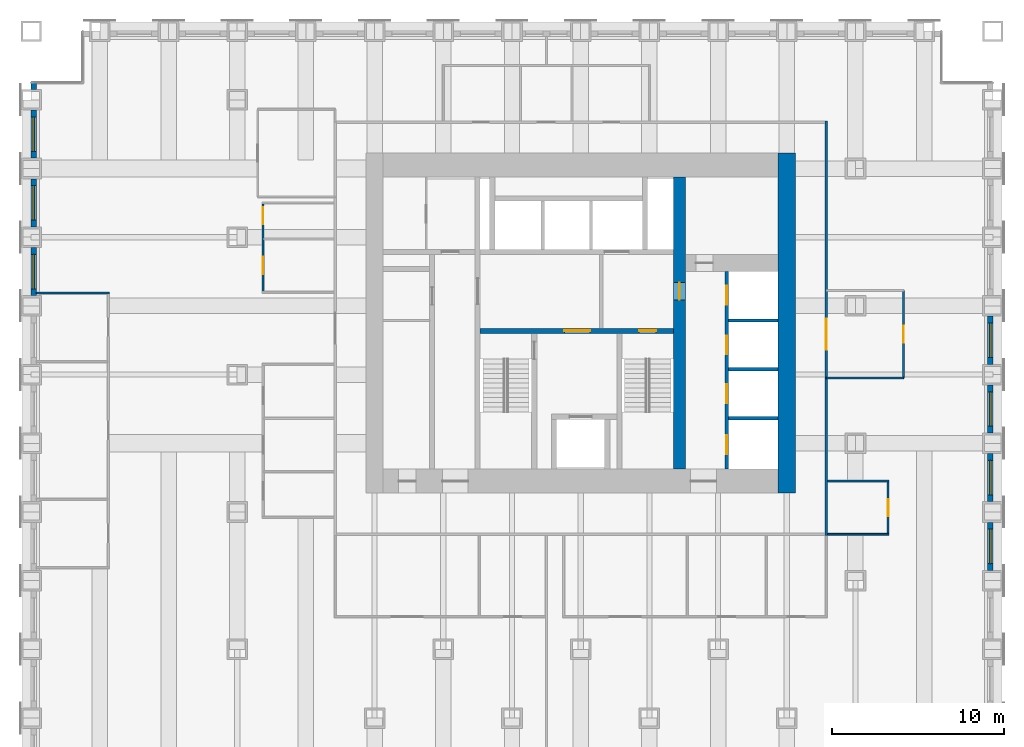
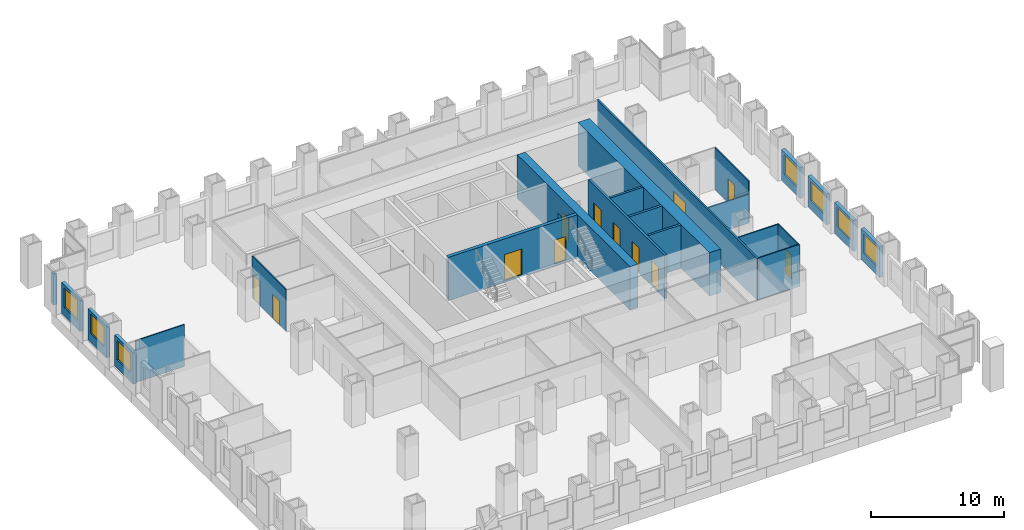
# One storey, part 11 of 15: 23 walls, 12 doors, 7 windows, 19 openings.
"""IFC4 building model written with IfcOpenShell, lengths in metres."""

from ifc_helpers import new_model, si_unit, direction, frame, frame_2d, origin, place, context, subcontext, project, spatial, rectangle, extrude, material, layer, layer_set, type_object, element, fill, save


model = new_model("IFC4")

# Units and contexts
model_context = context("Model", 3, precision=1e-05, world=origin(), true_north=direction((0.0, 1.0)))
body_context = subcontext(model_context, "Body", "Model", "MODEL_VIEW")
ifc_project = project(units=[si_unit("LENGTHUNIT", "METRE"), si_unit("AREAUNIT", "SQUARE_METRE"), si_unit("VOLUMEUNIT", "CUBIC_METRE"), si_unit("PLANEANGLEUNIT", "RADIAN"), si_unit("MASSUNIT", "GRAM", prefix="KILO")], contexts=[model_context])

# Site, building, storey
site_placement = place(None, origin())
site = spatial("IfcSite", under=ifc_project, at=site_placement, CompositionType="ELEMENT")
building_placement = place(site_placement, origin())
building = spatial("IfcBuilding", under=site, at=building_placement, Name="Rimbunsela Tower", CompositionType="ELEMENT")
storey_placement = place(building_placement, frame((0.0, 0.0, 39.0)))
storey = spatial("IfcBuildingStorey", under=building, at=storey_placement, Name="L09", CompositionType="ELEMENT", Elevation=39.0)

# Wall, openings, doors
ifc_material_1 = material(Name="Concrete fc' 80 MPa", Category="concrete")
ifc_layer_1 = layer(ifc_material_1, 0.300048828125)
ifc_layer_set_1 = layer_set([ifc_layer_1], Name="Core internal wall 300")
wall_type_1 = type_object("IfcWallType", Name="Core internal wall 300", PredefinedType="SHEAR", material=ifc_layer_set_1)
wall_1_placement = place(storey_placement, frame((24.14990234375, 26.550048828125, -0.14990234375), z_axis=(0.0, 0.0, 1.0), x_axis=(1.0, 0.0, 0.0)))
wall_1 = element("IfcWall", 1, at=wall_1_placement, inside=storey, type_object=wall_type_1, Name="Core wall lobby south", PredefinedType="SHEAR", context=body_context, shape_type="SweptSolid", body=[
    extrude(rectangle(XDim=11.25, YDim=0.300048828125, at=frame_2d((5.625, 0.0))), origin(), (0.0, 0.0, 1.0), 4.0),
])
opening_1_placement = place(wall_1_placement, frame((9.25, 0.0, 0.14990234375)))
opening_1 = element("IfcOpeningElement", 2, at=opening_1_placement, cuts=wall_1, Name="Opening D01", PredefinedType="OPENING", context=body_context, shape_type="SweptSolid", body=[
    extrude(rectangle(XDim=1.0, YDim=2.199951171875, at=frame_2d((0.5, 1.10009765625))), frame((0.0, 0.159912109375, 0.0), z_axis=(0.0, -1.0, 0.0), x_axis=(1.0, 0.0, 0.0)), (0.0, 0.0, 1.0), 0.320068359375),
])
opening_2_placement = place(wall_1_placement, frame((4.89990234375, 0.0, 0.14990234375)))
opening_2 = element("IfcOpeningElement", 3, at=opening_2_placement, cuts=wall_1, Name="Opening D03", PredefinedType="OPENING", context=body_context, shape_type="SweptSolid", body=[
    extrude(rectangle(XDim=1.5, YDim=2.39990234375, at=frame_2d((0.75, 1.199951171875))), frame((0.0, 0.159912109375, 0.0), z_axis=(0.0, -1.0, 0.0), x_axis=(1.0, 0.0, 0.0)), (0.0, 0.0, 1.0), 0.320068359375),
])
ifc_material_2 = material(Name="Steel door, fire rated", Category="steel")
door_type_1 = type_object("IfcDoorType", Name="Core lobby door 1500", OperationType="DOUBLE_DOOR_DOUBLE_SWING", PredefinedType="DOOR", material=ifc_material_2)
door_1_placement = place(opening_2_placement, origin())
door_1 = element("IfcDoor", 4, at=door_1_placement, inside=storey, type_object=door_type_1, Name="Firefighting lobby door", OperationType="DOUBLE_DOOR_DOUBLE_SWING", OverallHeight=2.39990234375, OverallWidth=1.5, PredefinedType="DOOR", context=body_context, shape_type="SweptSolid", body=[
    extrude(rectangle(XDim=1.5, YDim=2.39990234375, at=frame_2d((0.75, 1.199951171875))), frame((0.0, 0.02490234375, 0.0), z_axis=(0.0, -1.0, 0.0), x_axis=(1.0, 0.0, 0.0)), (0.0, 0.0, 1.0), 0.050048828125),
])
fill(opening_2, door_1)
ifc_material_3 = material(Name="Steel door, fire rated", Category="steel")
door_type_2 = type_object("IfcDoorType", Name="Stair door 1000", OperationType="SINGLE_SWING_RIGHT", PredefinedType="DOOR", material=ifc_material_3)
door_2_placement = place(opening_1_placement, frame((1.0, 0.0, 0.0), z_axis=(0.0, 0.0, 1.0), x_axis=(-1.0, 0.0, 0.0)))
door_2 = element("IfcDoor", 5, at=door_2_placement, inside=storey, type_object=door_type_2, Name="Stair B door", OperationType="SINGLE_SWING_RIGHT", OverallHeight=2.199951171875, OverallWidth=1.0, PredefinedType="DOOR", context=body_context, shape_type="SweptSolid", body=[
    extrude(rectangle(XDim=1.0, YDim=2.199951171875, at=frame_2d((0.5, 1.10009765625))), frame((0.0, 0.02490234375, 0.0), z_axis=(0.0, -1.0, 0.0), x_axis=(1.0, 0.0, 0.0)), (0.0, 0.0, 1.0), 0.050048828125),
])
fill(opening_1, door_2)

# Wall
ifc_material_4 = material(Name="Concrete fc' 80 MPa", Category="concrete")
ifc_layer_2 = layer(ifc_material_4, 1.0)
ifc_layer_set_2 = layer_set([ifc_layer_2], Name="Core wall 1000")
wall_type_2 = type_object("IfcWallType", Name="Core wall 1000", PredefinedType="SHEAR", material=ifc_layer_set_2)
wall_2_placement = place(storey_placement, frame((42.0, 17.10009765625, -0.14990234375), z_axis=(0.0, 0.0, 1.0), x_axis=(0.0, 1.0, 0.0)))
element("IfcWall", 6, at=wall_2_placement, inside=storey, type_object=wall_type_2, Name="Core wall east", PredefinedType="SHEAR", context=body_context, shape_type="SweptSolid", body=[
    extrude(rectangle(XDim=19.7998046875, YDim=1.0, at=frame_2d((9.89990234375, 0.0))), origin(), (0.0, 0.0, 1.0), 4.0),
])

# Wall, opening, door
ifc_material_5 = material(Name="Concrete fc' 80 MPa", Category="concrete")
ifc_layer_3 = layer(ifc_material_5, 0.699951171875)
ifc_layer_set_3 = layer_set([ifc_layer_3], Name="Core wall 700 east")
wall_type_3 = type_object("IfcWallType", Name="Core wall 700 east", PredefinedType="SHEAR", material=ifc_layer_set_3)
wall_3_placement = place(storey_placement, frame((35.75, 18.5, -0.14990234375), z_axis=(0.0, 0.0, 1.0), x_axis=(0.0, 1.0, 0.0)))
wall_3 = element("IfcWall", 7, at=wall_3_placement, inside=storey, type_object=wall_type_3, Name="Core wall low-rise bank", PredefinedType="SHEAR", context=body_context, shape_type="SweptSolid", body=[
    extrude(rectangle(XDim=17.0, YDim=0.699951171875, at=frame_2d((8.5, 0.0))), origin(), (0.0, 0.0, 1.0), 4.0),
])
opening_3_placement = place(wall_3_placement, frame((9.85009765625, 0.0, 0.14990234375)))
opening_3 = element("IfcOpeningElement", 8, at=opening_3_placement, cuts=wall_3, Name="Opening D01", PredefinedType="OPENING", context=body_context, shape_type="SweptSolid", body=[
    extrude(rectangle(XDim=1.0, YDim=2.199951171875, at=frame_2d((0.5, 1.10009765625))), frame((0.0, 0.35986328125, 0.0), z_axis=(0.0, -1.0, 0.0), x_axis=(1.0, 0.0, 0.0)), (0.0, 0.0, 1.0), 0.719970703125),
])
door_3_placement = place(opening_3_placement, origin())
door_3 = element("IfcDoor", 9, at=door_3_placement, inside=storey, type_object=door_type_2, Name="Firefighting lobby 2 door", OperationType="SINGLE_SWING_RIGHT", OverallHeight=2.199951171875, OverallWidth=1.0, PredefinedType="DOOR", context=body_context, shape_type="SweptSolid", body=[
    extrude(rectangle(XDim=1.0, YDim=2.199951171875, at=frame_2d((0.5, 1.10009765625))), frame((0.0, 0.02490234375, 0.0), z_axis=(0.0, -1.0, 0.0), x_axis=(1.0, 0.0, 0.0)), (0.0, 0.0, 1.0), 0.050048828125),
])
fill(opening_3, door_3)

# Wall, openings, doors
ifc_material_6 = material(Name="Concrete blockwork", Category="masonry")
ifc_layer_4 = layer(ifc_material_6, 0.199951171875)
ifc_layer_set_4 = layer_set([ifc_layer_4], Name="Lift shaft wall 200")
wall_type_4 = type_object("IfcWallType", Name="Lift shaft wall 200", PredefinedType="SOLIDWALL", material=ifc_layer_set_4)
wall_4_placement = place(storey_placement, frame((38.5, 18.5, -0.14990234375), z_axis=(0.0, 0.0, 1.0), x_axis=(0.0, 1.0, 0.0)))
wall_4 = element("IfcWall", 10, at=wall_4_placement, inside=storey, type_object=wall_type_4, Name="Lift shaft front east", PredefinedType="SOLIDWALL", context=body_context, shape_type="SweptSolid", body=[
    extrude(rectangle(XDim=11.5, YDim=0.199951171875, at=frame_2d((5.75, 0.0))), origin(), (0.0, 0.0, 1.0), 4.0),
])
opening_4_placement = place(wall_4_placement, frame((0.875, 0.0, 0.14990234375)))
opening_4 = element("IfcOpeningElement", 11, at=opening_4_placement, cuts=wall_4, Name="Opening LD1", PredefinedType="OPENING", context=body_context, shape_type="SweptSolid", body=[
    extrude(rectangle(XDim=1.10009765625, YDim=2.199951171875, at=frame_2d((0.550048828125, 1.10009765625))), frame((0.0, 0.10986328125, 0.0), z_axis=(0.0, -1.0, 0.0), x_axis=(1.0, 0.0, 0.0)), (0.0, 0.0, 1.0), 0.219970703125),
])
opening_5_placement = place(wall_4_placement, frame((3.824951171875, 0.0, 0.14990234375)))
opening_5 = element("IfcOpeningElement", 12, at=opening_5_placement, cuts=wall_4, Name="Opening LD1", PredefinedType="OPENING", context=body_context, shape_type="SweptSolid", body=[
    extrude(rectangle(XDim=1.10009765625, YDim=2.199951171875, at=frame_2d((0.550048828125, 1.10009765625))), frame((0.0, 0.10986328125, 0.0), z_axis=(0.0, -1.0, 0.0), x_axis=(1.0, 0.0, 0.0)), (0.0, 0.0, 1.0), 0.219970703125),
])
opening_6_placement = place(wall_4_placement, frame((6.675048828125, 0.0, 0.14990234375)))
opening_6 = element("IfcOpeningElement", 13, at=opening_6_placement, cuts=wall_4, Name="Opening LD1", PredefinedType="OPENING", context=body_context, shape_type="SweptSolid", body=[
    extrude(rectangle(XDim=1.10009765625, YDim=2.199951171875, at=frame_2d((0.550048828125, 1.10009765625))), frame((0.0, 0.10986328125, 0.0), z_axis=(0.0, -1.0, 0.0), x_axis=(1.0, 0.0, 0.0)), (0.0, 0.0, 1.0), 0.219970703125),
])
opening_7_placement = place(wall_4_placement, frame((9.574951171875, 0.0, 0.14990234375)))
opening_7 = element("IfcOpeningElement", 14, at=opening_7_placement, cuts=wall_4, Name="Opening LD1", PredefinedType="OPENING", context=body_context, shape_type="SweptSolid", body=[
    extrude(rectangle(XDim=1.10009765625, YDim=2.199951171875, at=frame_2d((0.550048828125, 1.10009765625))), frame((0.0, 0.10986328125, 0.0), z_axis=(0.0, -1.0, 0.0), x_axis=(1.0, 0.0, 0.0)), (0.0, 0.0, 1.0), 0.219970703125),
])
ifc_material_7 = material(Name="Steel door, fire rated", Category="steel")
door_type_3 = type_object("IfcDoorType", Name="Lift landing door 1100", OperationType="DOUBLE_DOOR_SLIDING", PredefinedType="DOOR", material=ifc_material_7)
door_4_placement = place(opening_4_placement, origin())
door_4 = element("IfcDoor", 15, at=door_4_placement, inside=storey, type_object=door_type_3, Name="Lift landing door LL1", OperationType="DOUBLE_DOOR_SLIDING", OverallHeight=2.199951171875, OverallWidth=1.10009765625, PredefinedType="DOOR", context=body_context, shape_type="SweptSolid", body=[
    extrude(rectangle(XDim=1.10009765625, YDim=2.199951171875, at=frame_2d((0.550048828125, 1.10009765625))), frame((0.0, 0.02490234375, 0.0), z_axis=(0.0, -1.0, 0.0), x_axis=(1.0, 0.0, 0.0)), (0.0, 0.0, 1.0), 0.050048828125),
])
fill(opening_4, door_4)
door_5_placement = place(opening_5_placement, origin())
door_5 = element("IfcDoor", 16, at=door_5_placement, inside=storey, type_object=door_type_3, Name="Lift landing door LL2", OperationType="DOUBLE_DOOR_SLIDING", OverallHeight=2.199951171875, OverallWidth=1.10009765625, PredefinedType="DOOR", context=body_context, shape_type="SweptSolid", body=[
    extrude(rectangle(XDim=1.10009765625, YDim=2.199951171875, at=frame_2d((0.550048828125, 1.10009765625))), frame((0.0, 0.02490234375, 0.0), z_axis=(0.0, -1.0, 0.0), x_axis=(1.0, 0.0, 0.0)), (0.0, 0.0, 1.0), 0.050048828125),
])
fill(opening_5, door_5)
door_6_placement = place(opening_6_placement, origin())
door_6 = element("IfcDoor", 17, at=door_6_placement, inside=storey, type_object=door_type_3, Name="Lift landing door LL3", OperationType="DOUBLE_DOOR_SLIDING", OverallHeight=2.199951171875, OverallWidth=1.10009765625, PredefinedType="DOOR", context=body_context, shape_type="SweptSolid", body=[
    extrude(rectangle(XDim=1.10009765625, YDim=2.199951171875, at=frame_2d((0.550048828125, 1.10009765625))), frame((0.0, 0.02490234375, 0.0), z_axis=(0.0, -1.0, 0.0), x_axis=(1.0, 0.0, 0.0)), (0.0, 0.0, 1.0), 0.050048828125),
])
fill(opening_6, door_6)
door_7_placement = place(opening_7_placement, origin())
door_7 = element("IfcDoor", 18, at=door_7_placement, inside=storey, type_object=door_type_3, Name="Lift landing door LL4", OperationType="DOUBLE_DOOR_SLIDING", OverallHeight=2.199951171875, OverallWidth=1.10009765625, PredefinedType="DOOR", context=body_context, shape_type="SweptSolid", body=[
    extrude(rectangle(XDim=1.10009765625, YDim=2.199951171875, at=frame_2d((0.550048828125, 1.10009765625))), frame((0.0, 0.02490234375, 0.0), z_axis=(0.0, -1.0, 0.0), x_axis=(1.0, 0.0, 0.0)), (0.0, 0.0, 1.0), 0.050048828125),
])
fill(opening_7, door_7)

# Walls
for number, where, z_axis, x_axis, name in (
    (19, (38.60009765625, 21.449951171875, -0.14990234375), (0.0, 0.0, 1.0), (1.0, 0.0, 0.0), "Lift shaft separation"),
    (20, (38.60009765625, 24.300048828125, -0.14990234375), (0.0, 0.0, 1.0), (1.0, 0.0, 0.0), "Lift shaft separation"),
    (21, (38.60009765625, 27.14990234375, -0.14990234375), (0.0, 0.0, 1.0), (1.0, 0.0, 0.0), "Lift shaft separation"),
):
    element("IfcWall", number, at=place(storey_placement, frame(where, z_axis=z_axis, x_axis=x_axis)), inside=storey, type_object=wall_type_4, Name=name, PredefinedType="SOLIDWALL", context=body_context, shape_type="SweptSolid", body=[
        extrude(rectangle(XDim=2.89990234375, YDim=0.199951171875, at=frame_2d((1.449951171875, 0.0))), origin(), (0.0, 0.0, 1.0), 4.0),
    ])
ifc_material_8 = material(Name="Gypsum board on steel studs", Category="steel")
ifc_layer_5 = layer(ifc_material_8, 0.10009765625)
ifc_layer_set_5 = layer_set([ifc_layer_5], Name="Office partition 100")
wall_type_5 = type_object("IfcWallType", Name="Office partition 100", PredefinedType="PARTITIONING", material=ifc_layer_set_5)
for number, where, z_axis, x_axis, name in (
    (22, (44.375, 14.699951171875, 0.0), (0.0, 0.0, 1.0), (1.0, 0.0, 0.0), "Office partition"),
    (23, (44.375, 17.800048828125, 0.0), (0.0, 0.0, 1.0), (1.0, 0.0, 0.0), "Office partition"),
):
    element("IfcWall", number, at=place(storey_placement, frame(where, z_axis=z_axis, x_axis=x_axis)), inside=storey, type_object=wall_type_5, Name=name, PredefinedType="PARTITIONING", context=body_context, shape_type="SweptSolid", body=[
        extrude(rectangle(XDim=3.574951171875, YDim=0.10009765625, at=frame_2d((1.78759765625, 0.0))), origin(), (0.0, 0.0, 1.0), 3.85009765625),
    ])
wall_5_placement = place(storey_placement, frame((-1.699951171875, 28.75, 0.0), z_axis=(0.0, 0.0, 1.0), x_axis=(1.0, 0.0, 0.0)))
element("IfcWall", 24, at=wall_5_placement, inside=storey, type_object=wall_type_5, Name="Office partition", PredefinedType="PARTITIONING", context=body_context, shape_type="SweptSolid", body=[
    extrude(rectangle(XDim=4.25, YDim=0.10009765625, at=frame_2d((2.125, 0.0))), origin(), (0.0, 0.0, 1.0), 3.85009765625),
])

# Wall, openings, doors
wall_6_placement = place(storey_placement, frame((11.5, 28.85009765625, 0.0), z_axis=(0.0, 0.0, 1.0), x_axis=(0.0, 1.0, 0.0)))
wall_6 = element("IfcWall", 25, at=wall_6_placement, inside=storey, type_object=wall_type_5, Name="Office partition", PredefinedType="PARTITIONING", context=body_context, shape_type="SweptSolid", body=[
    extrude(rectangle(XDim=5.099853515625, YDim=0.10009765625, at=frame_2d((2.5498046875, 0.0))), origin(), (0.0, 0.0, 1.0), 3.85009765625),
])
opening_8_placement = place(wall_6_placement, frame((1.0, 0.0, 0.0)))
opening_8 = element("IfcOpeningElement", 26, at=opening_8_placement, cuts=wall_6, Name="Opening D16", PredefinedType="OPENING", context=body_context, shape_type="SweptSolid", body=[
    extrude(rectangle(XDim=1.0, YDim=2.199951171875, at=frame_2d((0.5, 1.10009765625))), frame((0.0, 0.06005859375, 0.0), z_axis=(0.0, -1.0, 0.0), x_axis=(1.0, 0.0, 0.0)), (0.0, 0.0, 1.0), 0.1201171875),
])
opening_9_placement = place(wall_6_placement, frame((3.89990234375, 0.0, 0.0)))
opening_9 = element("IfcOpeningElement", 27, at=opening_9_placement, cuts=wall_6, Name="Opening D16", PredefinedType="OPENING", context=body_context, shape_type="SweptSolid", body=[
    extrude(rectangle(XDim=1.0, YDim=2.199951171875, at=frame_2d((0.5, 1.10009765625))), frame((0.0, 0.06005859375, 0.0), z_axis=(0.0, -1.0, 0.0), x_axis=(1.0, 0.0, 0.0)), (0.0, 0.0, 1.0), 0.1201171875),
])
ifc_material_9 = material(Name="Timber door", Category="wood")
door_type_4 = type_object("IfcDoorType", Name="Office door 1000", OperationType="SINGLE_SWING_LEFT", PredefinedType="DOOR", material=ifc_material_9)
door_8_placement = place(opening_8_placement, origin())
door_8 = element("IfcDoor", 28, at=door_8_placement, inside=storey, type_object=door_type_4, Name="Office door", OperationType="SINGLE_SWING_LEFT", OverallHeight=2.199951171875, OverallWidth=1.0, PredefinedType="DOOR", context=body_context, shape_type="SweptSolid", body=[
    extrude(rectangle(XDim=1.0, YDim=2.199951171875, at=frame_2d((0.5, 1.10009765625))), frame((0.0, 0.02490234375, 0.0), z_axis=(0.0, -1.0, 0.0), x_axis=(1.0, 0.0, 0.0)), (0.0, 0.0, 1.0), 0.050048828125),
])
fill(opening_8, door_8)
door_9_placement = place(opening_9_placement, origin())
door_9 = element("IfcDoor", 29, at=door_9_placement, inside=storey, type_object=door_type_4, Name="Office door", OperationType="SINGLE_SWING_LEFT", OverallHeight=2.199951171875, OverallWidth=1.0, PredefinedType="DOOR", context=body_context, shape_type="SweptSolid", body=[
    extrude(rectangle(XDim=1.0, YDim=2.199951171875, at=frame_2d((0.5, 1.10009765625))), frame((0.0, 0.02490234375, 0.0), z_axis=(0.0, -1.0, 0.0), x_axis=(1.0, 0.0, 0.0)), (0.0, 0.0, 1.0), 0.050048828125),
])
fill(opening_9, door_9)

# Wall, opening, door
wall_7_placement = place(storey_placement, frame((47.89990234375, 14.75, 0.0), z_axis=(0.0, 0.0, 1.0), x_axis=(0.0, 1.0, 0.0)))
wall_7 = element("IfcWall", 30, at=wall_7_placement, inside=storey, type_object=wall_type_5, Name="Office partition", PredefinedType="PARTITIONING", context=body_context, shape_type="SweptSolid", body=[
    extrude(rectangle(XDim=3.0, YDim=0.10009765625, at=frame_2d((1.5, 0.0))), origin(), (0.0, 0.0, 1.0), 3.85009765625),
])
opening_10_placement = place(wall_7_placement, frame((1.0, 0.0, 0.0)))
opening_10 = element("IfcOpeningElement", 31, at=opening_10_placement, cuts=wall_7, Name="Opening D16", PredefinedType="OPENING", context=body_context, shape_type="SweptSolid", body=[
    extrude(rectangle(XDim=1.0, YDim=2.199951171875, at=frame_2d((0.5, 1.10009765625))), frame((0.0, 0.06005859375, 0.0), z_axis=(0.0, -1.0, 0.0), x_axis=(1.0, 0.0, 0.0)), (0.0, 0.0, 1.0), 0.1201171875),
])
door_10_placement = place(opening_10_placement, origin())
door_10 = element("IfcDoor", 32, at=door_10_placement, inside=storey, type_object=door_type_4, Name="Office door", OperationType="SINGLE_SWING_LEFT", OverallHeight=2.199951171875, OverallWidth=1.0, PredefinedType="DOOR", context=body_context, shape_type="SweptSolid", body=[
    extrude(rectangle(XDim=1.0, YDim=2.199951171875, at=frame_2d((0.5, 1.10009765625))), frame((0.0, 0.02490234375, 0.0), z_axis=(0.0, -1.0, 0.0), x_axis=(1.0, 0.0, 0.0)), (0.0, 0.0, 1.0), 0.050048828125),
])
fill(opening_10, door_10)

# Wall
wall_8_placement = place(storey_placement, frame((44.300048828125, 23.800048828125, 0.0), z_axis=(0.0, 0.0, 1.0), x_axis=(1.0, 0.0, 0.0)))
element("IfcWall", 33, at=wall_8_placement, inside=storey, type_object=wall_type_5, Name="Office partition", PredefinedType="PARTITIONING", context=body_context, shape_type="SweptSolid", body=[
    extrude(rectangle(XDim=4.5, YDim=0.10009765625, at=frame_2d((2.25, 0.0))), origin(), (0.0, 0.0, 1.0), 2.64990234375),
])

# Wall, opening, door
wall_9_placement = place(storey_placement, frame((48.800048828125, 23.800048828125, 0.0), z_axis=(0.0, 0.0, 1.0), x_axis=(0.0, 1.0, 0.0)))
wall_9 = element("IfcWall", 34, at=wall_9_placement, inside=storey, type_object=wall_type_5, Name="Office partition", PredefinedType="PARTITIONING", context=body_context, shape_type="SweptSolid", body=[
    extrude(rectangle(XDim=5.099853515625, YDim=0.10009765625, at=frame_2d((2.5498046875, 0.0))), origin(), (0.0, 0.0, 1.0), 3.85009765625),
])
opening_11_placement = place(wall_9_placement, frame((2.050048828125, 0.0, 0.0)))
opening_11 = element("IfcOpeningElement", 35, at=opening_11_placement, cuts=wall_9, Name="Opening D17", PredefinedType="OPENING", context=body_context, shape_type="SweptSolid", body=[
    extrude(rectangle(XDim=1.0, YDim=2.199951171875, at=frame_2d((0.5, 1.10009765625))), frame((0.0, 0.06005859375, 0.0), z_axis=(0.0, -1.0, 0.0), x_axis=(1.0, 0.0, 0.0)), (0.0, 0.0, 1.0), 0.1201171875),
])
ifc_material_10 = material(Name="Glazed aluminium door", Category="aluminium")
door_type_5 = type_object("IfcDoorType", Name="Meeting room door 1000 glazed", OperationType="SINGLE_SWING_RIGHT", PredefinedType="DOOR", material=ifc_material_10)
door_11_placement = place(opening_11_placement, origin())
door_11 = element("IfcDoor", 36, at=door_11_placement, inside=storey, type_object=door_type_5, Name="Reception door", OperationType="SINGLE_SWING_RIGHT", OverallHeight=2.199951171875, OverallWidth=1.0, PredefinedType="DOOR", context=body_context, shape_type="SweptSolid", body=[
    extrude(rectangle(XDim=1.0, YDim=2.199951171875, at=frame_2d((0.5, 1.10009765625))), frame((0.0, 0.02490234375, 0.0), z_axis=(0.0, -1.0, 0.0), x_axis=(1.0, 0.0, 0.0)), (0.0, 0.0, 1.0), 0.050048828125),
])
fill(opening_11, door_11)

# Wall, opening, window
ifc_material_11 = material(Name="Precast concrete fc' 35 MPa", Category="concrete")
ifc_layer_6 = layer(ifc_material_11, 0.300048828125)
ifc_layer_set_6 = layer_set([ifc_layer_6], Name="Precast concrete fc' 35 MPa")
wall_type_6 = type_object("IfcWallType", Name="Precast facade panel 300", PredefinedType="ELEMENTEDWALL", material=ifc_layer_set_6)
wall_10_placement = place(storey_placement, frame((53.85009765625, 12.60009765625, 0.0), z_axis=(0.0, 0.0, 1.0), x_axis=(0.0, 1.0, 0.0)))
wall_10 = element("IfcWall", 37, at=wall_10_placement, inside=storey, type_object=wall_type_6, Name="Facade panel E L09", PredefinedType="ELEMENTEDWALL", context=body_context, shape_type="SweptSolid", body=[
    extrude(rectangle(XDim=2.7998046875, YDim=0.300048828125, at=frame_2d((1.39990234375, 0.0))), origin(), (0.0, 0.0, 1.0), 2.85009765625),
])
opening_12_placement = place(wall_10_placement, frame((0.39990234375, 0.0, 0.800048828125)))
opening_12 = element("IfcOpeningElement", 38, at=opening_12_placement, cuts=wall_10, Name="Opening W7", PredefinedType="OPENING", context=body_context, shape_type="SweptSolid", body=[
    extrude(rectangle(XDim=2.0, YDim=1.800048828125, at=frame_2d((1.0, 0.89990234375))), frame((0.0, 0.159912109375, 0.0), z_axis=(0.0, -1.0, 0.0), x_axis=(1.0, 0.0, 0.0)), (0.0, 0.0, 1.0), 0.320068359375),
])
ifc_material_12 = material(Name="Clear glass in aluminium frame", Category="aluminium")
window_type = type_object("IfcWindowType", Name="Window W7 2000x1800", PartitioningType="DOUBLE_PANEL_VERTICAL", PredefinedType="WINDOW", material=ifc_material_12)
window_1_placement = place(opening_12_placement, origin())
window_1 = element("IfcWindow", 39, at=window_1_placement, inside=storey, type_object=window_type, Name="Window L09", OverallHeight=1.800048828125, OverallWidth=2.0, PartitioningType="SINGLE_PANEL", PredefinedType="WINDOW", context=body_context, shape_type="SweptSolid", body=[
    extrude(rectangle(XDim=2.0, YDim=1.800048828125, at=frame_2d((1.0, 0.89990234375))), frame((0.0, 0.030029296875, 0.0), z_axis=(0.0, -1.0, 0.0), x_axis=(1.0, 0.0, 0.0)), (0.0, 0.0, 1.0), 0.06005859375),
])
fill(opening_12, window_1)

wall_11_placement = place(storey_placement, frame((53.85009765625, 16.60009765625, 0.0), z_axis=(0.0, 0.0, 1.0), x_axis=(0.0, 1.0, 0.0)))
wall_11 = element("IfcWall", 40, at=wall_11_placement, inside=storey, type_object=wall_type_6, Name="Facade panel E L09", PredefinedType="ELEMENTEDWALL", context=body_context, shape_type="SweptSolid", body=[
    extrude(rectangle(XDim=2.7998046875, YDim=0.300048828125, at=frame_2d((1.39990234375, 0.0))), origin(), (0.0, 0.0, 1.0), 2.85009765625),
])
opening_13_placement = place(wall_11_placement, frame((0.39990234375, 0.0, 0.800048828125)))
opening_13 = element("IfcOpeningElement", 41, at=opening_13_placement, cuts=wall_11, Name="Opening W7", PredefinedType="OPENING", context=body_context, shape_type="SweptSolid", body=[
    extrude(rectangle(XDim=2.0, YDim=1.800048828125, at=frame_2d((1.0, 0.89990234375))), frame((0.0, 0.159912109375, 0.0), z_axis=(0.0, -1.0, 0.0), x_axis=(1.0, 0.0, 0.0)), (0.0, 0.0, 1.0), 0.320068359375),
])
window_2_placement = place(opening_13_placement, origin())
window_2 = element("IfcWindow", 42, at=window_2_placement, inside=storey, type_object=window_type, Name="Window L09", OverallHeight=1.800048828125, OverallWidth=2.0, PartitioningType="SINGLE_PANEL", PredefinedType="WINDOW", context=body_context, shape_type="SweptSolid", body=[
    extrude(rectangle(XDim=2.0, YDim=1.800048828125, at=frame_2d((1.0, 0.89990234375))), frame((0.0, 0.030029296875, 0.0), z_axis=(0.0, -1.0, 0.0), x_axis=(1.0, 0.0, 0.0)), (0.0, 0.0, 1.0), 0.06005859375),
])
fill(opening_13, window_2)

wall_12_placement = place(storey_placement, frame((53.85009765625, 20.60009765625, 0.0), z_axis=(0.0, 0.0, 1.0), x_axis=(0.0, 1.0, 0.0)))
wall_12 = element("IfcWall", 43, at=wall_12_placement, inside=storey, type_object=wall_type_6, Name="Facade panel E L09", PredefinedType="ELEMENTEDWALL", context=body_context, shape_type="SweptSolid", body=[
    extrude(rectangle(XDim=2.7998046875, YDim=0.300048828125, at=frame_2d((1.39990234375, 0.0))), origin(), (0.0, 0.0, 1.0), 2.85009765625),
])
opening_14_placement = place(wall_12_placement, frame((0.39990234375, 0.0, 0.800048828125)))
opening_14 = element("IfcOpeningElement", 44, at=opening_14_placement, cuts=wall_12, Name="Opening W7", PredefinedType="OPENING", context=body_context, shape_type="SweptSolid", body=[
    extrude(rectangle(XDim=2.0, YDim=1.800048828125, at=frame_2d((1.0, 0.89990234375))), frame((0.0, 0.159912109375, 0.0), z_axis=(0.0, -1.0, 0.0), x_axis=(1.0, 0.0, 0.0)), (0.0, 0.0, 1.0), 0.320068359375),
])
window_3_placement = place(opening_14_placement, origin())
window_3 = element("IfcWindow", 45, at=window_3_placement, inside=storey, type_object=window_type, Name="Window L09", OverallHeight=1.800048828125, OverallWidth=2.0, PartitioningType="SINGLE_PANEL", PredefinedType="WINDOW", context=body_context, shape_type="SweptSolid", body=[
    extrude(rectangle(XDim=2.0, YDim=1.800048828125, at=frame_2d((1.0, 0.89990234375))), frame((0.0, 0.030029296875, 0.0), z_axis=(0.0, -1.0, 0.0), x_axis=(1.0, 0.0, 0.0)), (0.0, 0.0, 1.0), 0.06005859375),
])
fill(opening_14, window_3)

wall_13_placement = place(storey_placement, frame((53.85009765625, 24.60009765625, 0.0), z_axis=(0.0, 0.0, 1.0), x_axis=(0.0, 1.0, 0.0)))
wall_13 = element("IfcWall", 46, at=wall_13_placement, inside=storey, type_object=wall_type_6, Name="Facade panel E L09", PredefinedType="ELEMENTEDWALL", context=body_context, shape_type="SweptSolid", body=[
    extrude(rectangle(XDim=2.7998046875, YDim=0.300048828125, at=frame_2d((1.39990234375, 0.0))), origin(), (0.0, 0.0, 1.0), 2.85009765625),
])
opening_15_placement = place(wall_13_placement, frame((0.39990234375, 0.0, 0.800048828125)))
opening_15 = element("IfcOpeningElement", 47, at=opening_15_placement, cuts=wall_13, Name="Opening W7", PredefinedType="OPENING", context=body_context, shape_type="SweptSolid", body=[
    extrude(rectangle(XDim=2.0, YDim=1.800048828125, at=frame_2d((1.0, 0.89990234375))), frame((0.0, 0.159912109375, 0.0), z_axis=(0.0, -1.0, 0.0), x_axis=(1.0, 0.0, 0.0)), (0.0, 0.0, 1.0), 0.320068359375),
])
window_4_placement = place(opening_15_placement, origin())
window_4 = element("IfcWindow", 48, at=window_4_placement, inside=storey, type_object=window_type, Name="Window L09", OverallHeight=1.800048828125, OverallWidth=2.0, PartitioningType="SINGLE_PANEL", PredefinedType="WINDOW", context=body_context, shape_type="SweptSolid", body=[
    extrude(rectangle(XDim=2.0, YDim=1.800048828125, at=frame_2d((1.0, 0.89990234375))), frame((0.0, 0.030029296875, 0.0), z_axis=(0.0, -1.0, 0.0), x_axis=(1.0, 0.0, 0.0)), (0.0, 0.0, 1.0), 0.06005859375),
])
fill(opening_15, window_4)

wall_14_placement = place(storey_placement, frame((-1.85009765625, 31.39990234375, 0.0), z_axis=(0.0, 0.0, 1.0), x_axis=(0.0, -1.0, 0.0)))
wall_14 = element("IfcWall", 49, at=wall_14_placement, inside=storey, type_object=wall_type_6, Name="Facade panel W L09", PredefinedType="ELEMENTEDWALL", context=body_context, shape_type="SweptSolid", body=[
    extrude(rectangle(XDim=2.7998046875, YDim=0.300048828125, at=frame_2d((1.39990234375, 0.0))), origin(), (0.0, 0.0, 1.0), 2.85009765625),
])
opening_16_placement = place(wall_14_placement, frame((0.39990234375, 0.0, 0.800048828125)))
opening_16 = element("IfcOpeningElement", 50, at=opening_16_placement, cuts=wall_14, Name="Opening W7", PredefinedType="OPENING", context=body_context, shape_type="SweptSolid", body=[
    extrude(rectangle(XDim=2.0, YDim=1.800048828125, at=frame_2d((1.0, 0.89990234375))), frame((0.0, 0.159912109375, 0.0), z_axis=(0.0, -1.0, 0.0), x_axis=(1.0, 0.0, 0.0)), (0.0, 0.0, 1.0), 0.320068359375),
])
window_5_placement = place(opening_16_placement, origin())
window_5 = element("IfcWindow", 51, at=window_5_placement, inside=storey, type_object=window_type, Name="Window L09", OverallHeight=1.800048828125, OverallWidth=2.0, PartitioningType="SINGLE_PANEL", PredefinedType="WINDOW", context=body_context, shape_type="SweptSolid", body=[
    extrude(rectangle(XDim=2.0, YDim=1.800048828125, at=frame_2d((1.0, 0.89990234375))), frame((0.0, 0.030029296875, 0.0), z_axis=(0.0, -1.0, 0.0), x_axis=(1.0, 0.0, 0.0)), (0.0, 0.0, 1.0), 0.06005859375),
])
fill(opening_16, window_5)

wall_15_placement = place(storey_placement, frame((-1.85009765625, 35.39990234375, 0.0), z_axis=(0.0, 0.0, 1.0), x_axis=(0.0, -1.0, 0.0)))
wall_15 = element("IfcWall", 52, at=wall_15_placement, inside=storey, type_object=wall_type_6, Name="Facade panel W L09", PredefinedType="ELEMENTEDWALL", context=body_context, shape_type="SweptSolid", body=[
    extrude(rectangle(XDim=2.7998046875, YDim=0.300048828125, at=frame_2d((1.39990234375, 0.0))), origin(), (0.0, 0.0, 1.0), 2.85009765625),
])
opening_17_placement = place(wall_15_placement, frame((0.39990234375, 0.0, 0.800048828125)))
opening_17 = element("IfcOpeningElement", 53, at=opening_17_placement, cuts=wall_15, Name="Opening W7", PredefinedType="OPENING", context=body_context, shape_type="SweptSolid", body=[
    extrude(rectangle(XDim=2.0, YDim=1.800048828125, at=frame_2d((1.0, 0.89990234375))), frame((0.0, 0.159912109375, 0.0), z_axis=(0.0, -1.0, 0.0), x_axis=(1.0, 0.0, 0.0)), (0.0, 0.0, 1.0), 0.320068359375),
])
window_6_placement = place(opening_17_placement, origin())
window_6 = element("IfcWindow", 54, at=window_6_placement, inside=storey, type_object=window_type, Name="Window L09", OverallHeight=1.800048828125, OverallWidth=2.0, PartitioningType="SINGLE_PANEL", PredefinedType="WINDOW", context=body_context, shape_type="SweptSolid", body=[
    extrude(rectangle(XDim=2.0, YDim=1.800048828125, at=frame_2d((1.0, 0.89990234375))), frame((0.0, 0.030029296875, 0.0), z_axis=(0.0, -1.0, 0.0), x_axis=(1.0, 0.0, 0.0)), (0.0, 0.0, 1.0), 0.06005859375),
])
fill(opening_17, window_6)

wall_16_placement = place(storey_placement, frame((-1.85009765625, 39.39990234375, 0.0), z_axis=(0.0, 0.0, 1.0), x_axis=(0.0, -1.0, 0.0)))
wall_16 = element("IfcWall", 55, at=wall_16_placement, inside=storey, type_object=wall_type_6, Name="Facade panel W L09", PredefinedType="ELEMENTEDWALL", context=body_context, shape_type="SweptSolid", body=[
    extrude(rectangle(XDim=2.7998046875, YDim=0.300048828125, at=frame_2d((1.39990234375, 0.0))), origin(), (0.0, 0.0, 1.0), 2.85009765625),
])
opening_18_placement = place(wall_16_placement, frame((0.39990234375, 0.0, 0.800048828125)))
opening_18 = element("IfcOpeningElement", 56, at=opening_18_placement, cuts=wall_16, Name="Opening W7", PredefinedType="OPENING", context=body_context, shape_type="SweptSolid", body=[
    extrude(rectangle(XDim=2.0, YDim=1.800048828125, at=frame_2d((1.0, 0.89990234375))), frame((0.0, 0.159912109375, 0.0), z_axis=(0.0, -1.0, 0.0), x_axis=(1.0, 0.0, 0.0)), (0.0, 0.0, 1.0), 0.320068359375),
])
window_7_placement = place(opening_18_placement, origin())
window_7 = element("IfcWindow", 57, at=window_7_placement, inside=storey, type_object=window_type, Name="Window L09", OverallHeight=1.800048828125, OverallWidth=2.0, PartitioningType="SINGLE_PANEL", PredefinedType="WINDOW", context=body_context, shape_type="SweptSolid", body=[
    extrude(rectangle(XDim=2.0, YDim=1.800048828125, at=frame_2d((1.0, 0.89990234375))), frame((0.0, 0.030029296875, 0.0), z_axis=(0.0, -1.0, 0.0), x_axis=(1.0, 0.0, 0.0)), (0.0, 0.0, 1.0), 0.06005859375),
])
fill(opening_18, window_7)

# Wall
wall_17_placement = place(storey_placement, frame((-1.85009765625, 40.969970703125, 0.0), z_axis=(0.0, 0.0, 1.0), x_axis=(0.0, -1.0, 0.0)))
element("IfcWall", 58, at=wall_17_placement, inside=storey, type_object=wall_type_6, Name="Facade panel W L09", PredefinedType="ELEMENTEDWALL", context=body_context, shape_type="SweptSolid", body=[
    extrude(rectangle(XDim=0.369873046875, YDim=0.300048828125, at=frame_2d((0.18505859375, 0.0))), origin(), (0.0, 0.0, 1.0), 2.85009765625),
])

# Wall, opening, door
ifc_material_13 = material(Name="Fire-rated gypsum board on steel studs, EI 60", Category="steel")
ifc_layer_7 = layer(ifc_material_13, 0.14990234375)
ifc_layer_set_7 = layer_set([ifc_layer_7], Name="Rated corridor wall 150")
wall_type_7 = type_object("IfcWallType", Name="Rated corridor wall 150", PredefinedType="PARTITIONING", material=ifc_layer_set_7)
wall_18_placement = place(storey_placement, frame((44.300048828125, 14.625, 0.0), z_axis=(0.0, 0.0, 1.0), x_axis=(0.0, 1.0, 0.0)))
wall_18 = element("IfcWall", 59, at=wall_18_placement, inside=storey, type_object=wall_type_7, Name="Corridor wall east", PredefinedType="PARTITIONING", context=body_context, shape_type="SweptSolid", body=[
    extrude(rectangle(XDim=24.14990234375, YDim=0.14990234375, at=frame_2d((12.074951171875, 0.0))), origin(), (0.0, 0.0, 1.0), 3.85009765625),
])
opening_19_placement = place(wall_18_placement, frame((10.824951171875, 0.0, 0.0)))
opening_19 = element("IfcOpeningElement", 60, at=opening_19_placement, cuts=wall_18, Name="Opening D09", PredefinedType="OPENING", context=body_context, shape_type="SweptSolid", body=[
    extrude(rectangle(XDim=1.800048828125, YDim=2.39990234375, at=frame_2d((0.89990234375, 1.199951171875))), frame((0.0, 0.0849609375, 0.0), z_axis=(0.0, -1.0, 0.0), x_axis=(1.0, 0.0, 0.0)), (0.0, 0.0, 1.0), 0.169921875),
])
ifc_material_14 = material(Name="Glazed aluminium door, fire rated", Category="aluminium")
door_type_6 = type_object("IfcDoorType", Name="Tenancy door 1800 glazed", OperationType="DOUBLE_DOOR_DOUBLE_SWING", PredefinedType="DOOR", material=ifc_material_14)
door_12_placement = place(opening_19_placement, origin())
door_12 = element("IfcDoor", 61, at=door_12_placement, inside=storey, type_object=door_type_6, Name="Tenancy door", OperationType="DOUBLE_DOOR_DOUBLE_SWING", OverallHeight=2.39990234375, OverallWidth=1.800048828125, PredefinedType="DOOR", context=body_context, shape_type="SweptSolid", body=[
    extrude(rectangle(XDim=1.800048828125, YDim=2.39990234375, at=frame_2d((0.89990234375, 1.199951171875))), frame((0.0, 0.02490234375, 0.0), z_axis=(0.0, -1.0, 0.0), x_axis=(1.0, 0.0, 0.0)), (0.0, 0.0, 1.0), 0.050048828125),
])
fill(opening_19, door_12)

save(model, "model.ifc")
